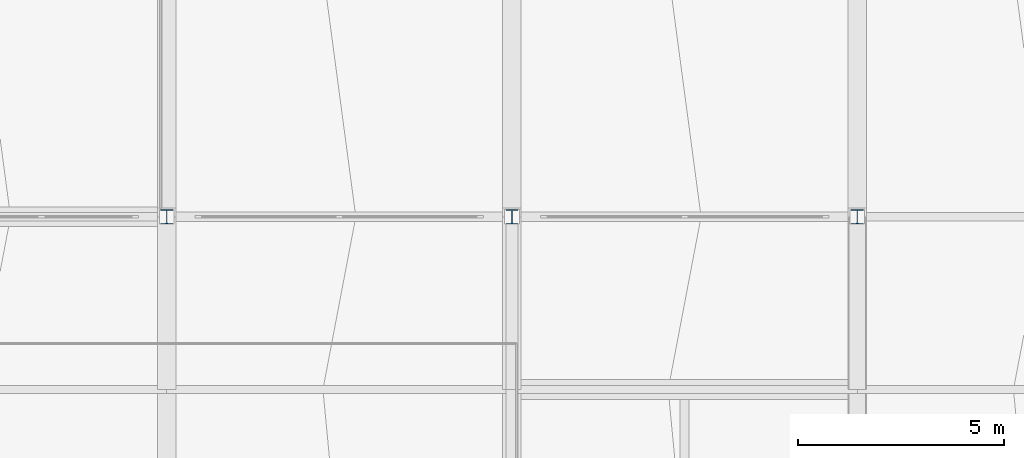
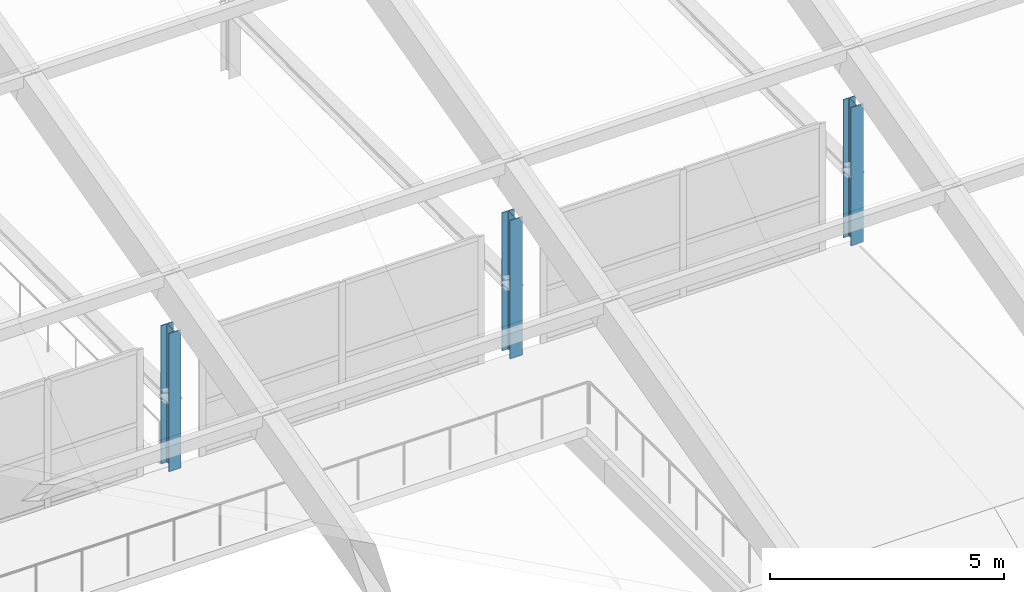
# One storey, part 3 of 51: 3 columns.
"""IFC4 building model written with IfcOpenShell, lengths in metres."""

from ifc_helpers import new_model, si_unit, direction, frame, origin, origin_2d, place, context, subcontext, project, spatial, i_section, extrude, material, material_profile, profile_set, type_object, element, save


model = new_model("IFC4")

# Units and contexts
model_context = context("Model", 3, precision=1e-05, world=origin(), true_north=direction((0.0, 1.0)))
body_context = subcontext(model_context, "Body", "Model", "MODEL_VIEW")
ifc_project = project(units=[si_unit("LENGTHUNIT", "METRE"), si_unit("AREAUNIT", "SQUARE_METRE"), si_unit("VOLUMEUNIT", "CUBIC_METRE"), si_unit("PLANEANGLEUNIT", "RADIAN"), si_unit("MASSUNIT", "GRAM", prefix="KILO")], contexts=[model_context])

# Site, building, storey
site_placement = place(None, origin())
site = spatial("IfcSite", under=ifc_project, at=site_placement, CompositionType="ELEMENT")
building_placement = place(site_placement, origin())
building = spatial("IfcBuilding", under=site, at=building_placement, Name="Vharandega Faculty of Natural Sciences", CompositionType="ELEMENT")
storey_placement = place(building_placement, frame((0.0, 0.0, 18.0)))
storey = spatial("IfcBuildingStorey", under=building, at=storey_placement, Name="L04", CompositionType="ELEMENT", Elevation=18.0)

# Columns
ifc_material = material(Name="Steel S355", Category="steel")
ifc_material_profile = material_profile(ifc_material, i_section(OverallWidth=0.300048828125, OverallDepth=0.360107421875, WebThickness=0.012451171875, FlangeThickness=0.0224609375, FilletRadius=0.027099609375, at=origin_2d()), Name="HEB 360")
ifc_profile_set = profile_set([ifc_material_profile], Name="Steel S355")
column_type = type_object("IfcColumnType", Name="Steel Column HEB 360", PredefinedType="COLUMN", material=ifc_profile_set)
for number, where, z_axis, x_axis, name in (
    (1, (72.800048828125, 85.0, 0.0), (0.0, 0.0, 1.0), (1.0, 0.0, 0.0), "Column 10/M L04"),
    (2, (81.199951171875, 85.0, 0.0), (0.0, 0.0, 1.0), (1.0, 0.0, 0.0), "Column 11/M L04"),
    (3, (89.60009765625, 85.0, 0.0), (0.0, 0.0, 1.0), (1.0, 0.0, 0.0), "Column 12/M L04"),
):
    element("IfcColumn", number, at=place(storey_placement, frame(where, z_axis=z_axis, x_axis=x_axis)), inside=storey, type_object=column_type, Name=name, PredefinedType="COLUMN", context=body_context, shape_type="SweptSolid", body=[
        extrude(i_section(OverallWidth=0.300048828125, OverallDepth=0.360107421875, WebThickness=0.012451171875, FlangeThickness=0.0224609375, FilletRadius=0.027099609375, at=origin_2d()), origin(), (0.0, 0.0, 1.0), 3.60009765625),
    ])

save(model, "model.ifc")
